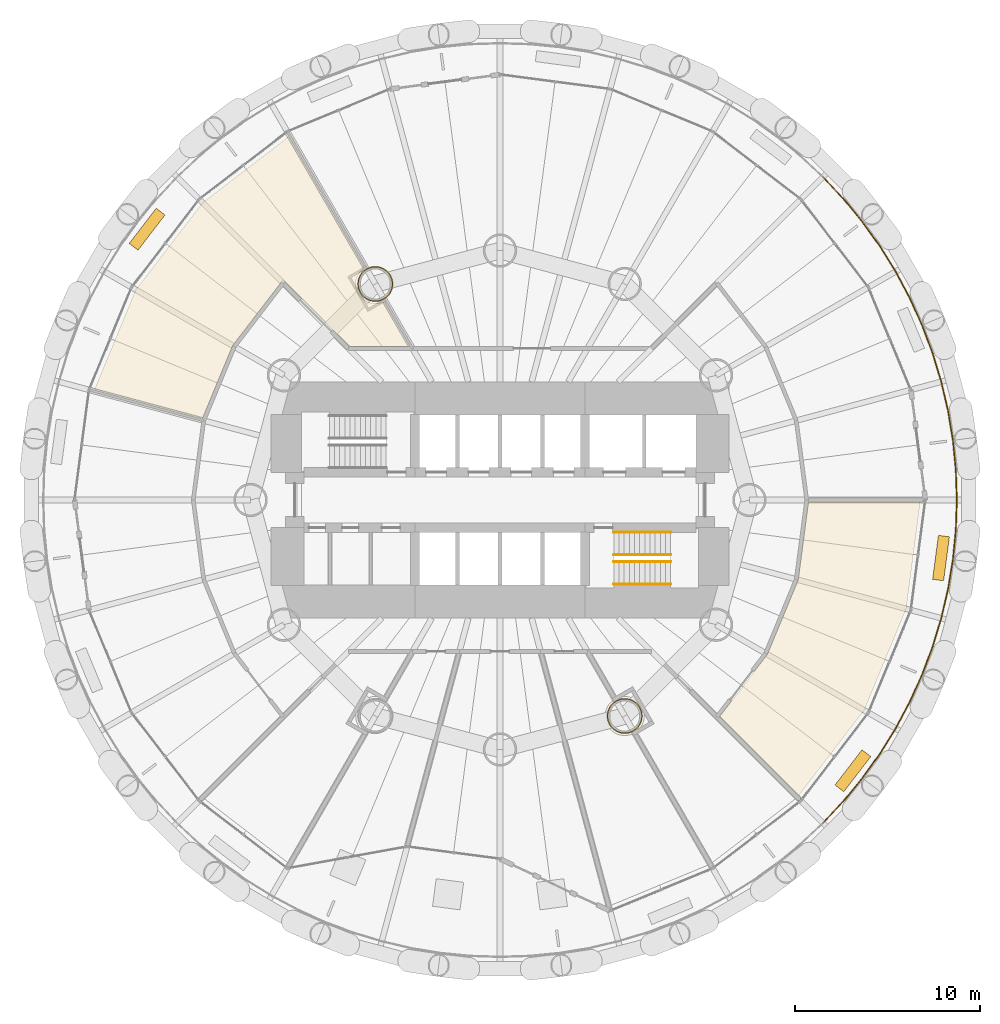
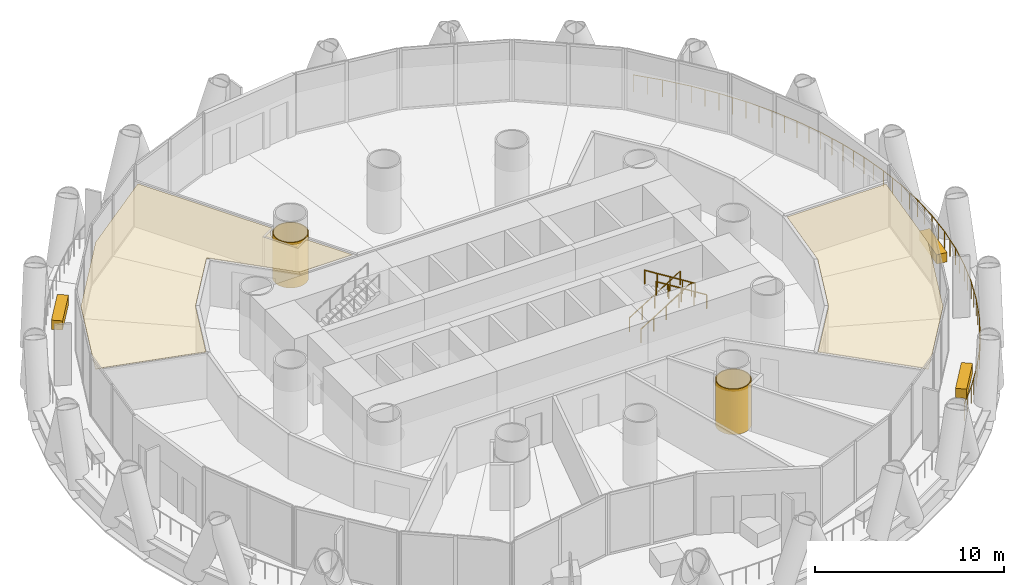
# One storey, part 14 of 15: 7 coverings, 5 railings.
"""IFC4 building model written with IfcOpenShell, lengths in metres."""

from ifc_helpers import new_model, si_unit, direction, frame, origin, origin_2d, place, context, subcontext, project, spatial, polyline, rectangle, circle, outline, extrude, material, layer, layer_set, type_object, element, save


model = new_model("IFC4")

# Units and contexts
model_context = context("Model", 3, precision=1e-05, world=origin(), true_north=direction((0.0, 1.0)))
body_context = subcontext(model_context, "Body", "Model", "MODEL_VIEW")
ifc_project = project(units=[si_unit("LENGTHUNIT", "METRE"), si_unit("AREAUNIT", "SQUARE_METRE"), si_unit("VOLUMEUNIT", "CUBIC_METRE"), si_unit("PLANEANGLEUNIT", "RADIAN"), si_unit("MASSUNIT", "GRAM", prefix="KILO")], contexts=[model_context])

# Site, building, storey
site_placement = place(None, origin())
site = spatial("IfcSite", under=ifc_project, at=site_placement, CompositionType="ELEMENT")
building_placement = place(site_placement, origin())
building = spatial("IfcBuilding", under=site, at=building_placement, Name="Qaws Media Tower", CompositionType="ELEMENT")
storey_placement = place(building_placement, frame((0.0, 0.0, 97.39990234375)))
storey = spatial("IfcBuildingStorey", under=building, at=storey_placement, Name="L21", CompositionType="ELEMENT", Elevation=97.39990234375)

# Covering
ifc_material_1 = material(Name="40 perforated acoustic panels with mineral wool backing, suspended", Category="mineral fibre")
ifc_layer_1 = layer(ifc_material_1, 0.0400390625)
ifc_layer_set_1 = layer_set([ifc_layer_1], Name="Acoustic panel ceiling 40")
covering_type_1 = type_object("IfcCoveringType", Name="Acoustic panel ceiling 40", PredefinedType="CEILING", material=ifc_layer_set_1)
covering_1_placement = place(storey_placement, frame((0.0, 0.0, 2.85009765625)))
element("IfcCovering", 1, at=covering_1_placement, inside=storey, type_object=covering_type_1, Name="CL3 ceiling L21-03 Training room", PredefinedType="CEILING", context=body_context, shape_type="SweptSolid", body=[
    extrude(outline(polyline([(40.2890625, 61.380126953125), (43.906005859375, 66.093994140625), (48.52978515625, 69.641845703125), (52.626220703125, 62.546630859375), (52.604736328125, 62.5322265625), (52.50048828125, 62.44091796875), (52.408935546875, 62.336669921875), (52.33203125, 62.22119140625), (52.270751953125, 62.096923828125), (52.22607421875, 61.9658203125), (52.19921875, 61.82958984375), (52.18994140625, 61.69140625), (52.19921875, 61.552978515625), (52.22607421875, 61.4169921875), (52.270751953125, 61.28564453125), (52.33203125, 61.161376953125), (52.408935546875, 61.046142578125), (52.50048828125, 60.94189453125), (52.604736328125, 60.850341796875), (52.719970703125, 60.7734375), (52.844482421875, 60.7119140625), (52.9755859375, 60.66748046875), (53.111572265625, 60.640380859375), (53.25, 60.63134765625), (53.388427734375, 60.640380859375), (53.5244140625, 60.66748046875), (53.655517578125, 60.7119140625), (53.678955078125, 60.723388671875), (55.07080078125, 58.3125), (51.8466796875, 58.3125), (48.2509765625, 61.908203125), (45.525634765625, 58.356689453125), (43.8994140625, 54.4306640625), (38.05859375, 55.99560546875), (40.2890625, 61.380126953125)])), origin(), (0.0, 0.0, 1.0), 0.0400390625),
])

# Railing
ifc_material_2 = material(Name="Stainless steel and glass guard", Category="steel")
railing_type_1 = type_object("IfcRailingType", Name="Balcony guard 1100", PredefinedType="GUARDRAIL", material=ifc_material_2)
railing_placement = place(storey_placement, frame((77.483154296875, 32.516845703125, 0.0)))
element("IfcRailing", 2, at=railing_placement, inside=storey, type_object=railing_type_1, Name="GR1 balcony guard L21-4", PredefinedType="GUARDRAIL", context=body_context, shape_type="SweptSolid", body=[
    extrude(circle(Radius=0.02392578125, at=origin_2d()), frame((0.0, 0.0, 1.076171875), z_axis=(0.683644955453, 0.729814753813, 0.0), x_axis=(-0.729814753813, 0.683644955453, 0.0)), (0.0, 0.0, 1.0), 1.6181640625),
    extrude(circle(Radius=0.02392578125, at=origin_2d()), frame((1.106201171875, 1.180908203125, 1.076171875), z_axis=(0.634362857361, 0.773035422992, 0.0), x_axis=(-0.773035422992, 0.634362857361, 0.0)), (0.0, 0.0, 1.0), 1.617919921875),
    extrude(circle(Radius=0.02392578125, at=origin_2d()), frame((2.132568359375, 2.431640625, 1.076171875), z_axis=(0.582522264877, 0.812814745759, 0.0), x_axis=(-0.812814745759, 0.582522264877, 0.0)), (0.0, 0.0, 1.0), 1.61767578125),
    extrude(circle(Radius=0.02392578125, at=origin_2d()), frame((3.074951171875, 3.74658203125, 1.076171875), z_axis=(0.528098829061, 0.84918291713, 0.0), x_axis=(-0.84918291713, 0.528098829061, 0.0)), (0.0, 0.0, 1.0), 1.6181640625),
    extrude(circle(Radius=0.02392578125, at=origin_2d()), frame((3.929443359375, 5.12060546875, 1.076171875), z_axis=(0.471371200806, 0.88193491316, 0.0), x_axis=(-0.88193491316, 0.471371200806, 0.0)), (0.0, 0.0, 1.0), 1.617919921875),
    extrude(circle(Radius=0.02392578125, at=origin_2d()), frame((4.692138671875, 6.547607421875, 1.076171875), z_axis=(0.412722552214, 0.91085679165, 0.0), x_axis=(-0.91085679165, 0.412722552214, 0.0)), (0.0, 0.0, 1.0), 1.617919921875),
    extrude(circle(Radius=0.02392578125, at=origin_2d()), frame((5.35986328125, 8.021240234375, 1.076171875), z_axis=(0.352164948958, 0.935937951322, 0.0), x_axis=(-0.935937951322, 0.352164948958, 0.0)), (0.0, 0.0, 1.0), 1.6181640625),
    extrude(circle(Radius=0.02392578125, at=origin_2d()), frame((5.9296875, 9.53564453125, 1.076171875), z_axis=(0.290350826937, 0.956920266949, 0.0), x_axis=(-0.956920266949, 0.290350826937, 0.0)), (0.0, 0.0, 1.0), 1.61767578125),
    extrude(circle(Radius=0.02392578125, at=origin_2d()), frame((6.3994140625, 11.083740234375, 1.076171875), z_axis=(0.227062683053, 0.973880145585, 0.0), x_axis=(-0.973880145585, 0.227062683053, 0.0)), (0.0, 0.0, 1.0), 1.6181640625),
    extrude(circle(Radius=0.02392578125, at=origin_2d()), frame((6.766845703125, 12.65966796875, 1.076171875), z_axis=(0.162832572423, 0.986653715018, 0.0), x_axis=(-0.986653715018, 0.162832572423, 0.0)), (0.0, 0.0, 1.0), 1.61767578125),
    extrude(circle(Radius=0.02392578125, at=origin_2d()), frame((7.0302734375, 14.255859375, 1.076171875), z_axis=(0.098084271892, 0.995178112504, 0.0), x_axis=(-0.995178112504, 0.098084271892, 0.0)), (0.0, 0.0, 1.0), 1.617919921875),
    extrude(circle(Radius=0.02392578125, at=origin_2d()), frame((7.18896484375, 15.865966796875, 1.076171875), z_axis=(0.032742097212, 0.999463833798, 0.0), x_axis=(-0.999463833798, 0.032742097212, 0.0)), (0.0, 0.0, 1.0), 1.6181640625),
    extrude(circle(Radius=0.02392578125, at=origin_2d()), frame((7.241943359375, 17.483154296875, 1.076171875), z_axis=(-0.032742097212, 0.999463833798, 0.0), x_axis=(-0.999463833798, -0.032742097212, 0.0)), (0.0, 0.0, 1.0), 1.6181640625),
    extrude(circle(Radius=0.02392578125, at=origin_2d()), frame((7.18896484375, 19.100341796875, 1.076171875), z_axis=(-0.098084271892, 0.995178112504, 0.0), x_axis=(-0.995178112504, -0.098084271892, 0.0)), (0.0, 0.0, 1.0), 1.617919921875),
    extrude(circle(Radius=0.02392578125, at=origin_2d()), frame((7.0302734375, 20.71044921875, 1.076171875), z_axis=(-0.162832572423, 0.986653715018, 0.0), x_axis=(-0.986653715018, -0.162832572423, 0.0)), (0.0, 0.0, 1.0), 1.61767578125),
    extrude(circle(Radius=0.02392578125, at=origin_2d()), frame((6.766845703125, 22.306640625, 1.076171875), z_axis=(-0.227062683053, 0.973880145585, 0.0), x_axis=(-0.973880145585, -0.227062683053, 0.0)), (0.0, 0.0, 1.0), 1.6181640625),
    extrude(circle(Radius=0.02392578125, at=origin_2d()), frame((6.3994140625, 23.882568359375, 1.076171875), z_axis=(-0.290350826937, 0.956920266949, 0.0), x_axis=(-0.956920266949, -0.290350826937, 0.0)), (0.0, 0.0, 1.0), 1.61767578125),
    extrude(circle(Radius=0.02392578125, at=origin_2d()), frame((5.9296875, 25.4306640625, 1.076171875), z_axis=(-0.352164948958, 0.935937951322, 0.0), x_axis=(-0.935937951322, -0.352164948958, 0.0)), (0.0, 0.0, 1.0), 1.6181640625),
    extrude(circle(Radius=0.02392578125, at=origin_2d()), frame((5.35986328125, 26.945068359375, 1.076171875), z_axis=(-0.412722552214, 0.91085679165, 0.0), x_axis=(-0.91085679165, -0.412722552214, 0.0)), (0.0, 0.0, 1.0), 1.617919921875),
    extrude(circle(Radius=0.02392578125, at=origin_2d()), frame((4.692138671875, 28.418701171875, 1.076171875), z_axis=(-0.471371200806, 0.88193491316, 0.0), x_axis=(-0.88193491316, -0.471371200806, 0.0)), (0.0, 0.0, 1.0), 1.617919921875),
    extrude(circle(Radius=0.02392578125, at=origin_2d()), frame((3.929443359375, 29.845703125, 1.076171875), z_axis=(-0.528098829061, 0.84918291713, 0.0), x_axis=(-0.84918291713, -0.528098829061, 0.0)), (0.0, 0.0, 1.0), 1.6181640625),
    extrude(circle(Radius=0.02392578125, at=origin_2d()), frame((3.074951171875, 31.2197265625, 1.076171875), z_axis=(-0.582522264877, 0.812814745759, 0.0), x_axis=(-0.812814745759, -0.582522264877, 0.0)), (0.0, 0.0, 1.0), 1.61767578125),
    extrude(circle(Radius=0.02392578125, at=origin_2d()), frame((2.132568359375, 32.53466796875, 1.076171875), z_axis=(-0.634362857361, 0.773035422992, 0.0), x_axis=(-0.773035422992, -0.634362857361, 0.0)), (0.0, 0.0, 1.0), 1.617919921875),
    extrude(circle(Radius=0.02392578125, at=origin_2d()), frame((1.106201171875, 33.785400390625, 1.076171875), z_axis=(-0.683644955453, 0.729814753813, 0.0), x_axis=(-0.729814753813, -0.683644955453, 0.0)), (0.0, 0.0, 1.0), 1.6181640625),
    extrude(circle(Radius=0.02099609375, at=origin_2d()), origin(), (0.0, 0.0, 1.0), 1.052001953125),
    extrude(circle(Radius=0.02099609375, at=origin_2d()), frame((0.55322265625, 0.59033203125, 0.0)), (0.0, 0.0, 1.0), 1.052001953125),
    extrude(circle(Radius=0.02099609375, at=origin_2d()), frame((1.106201171875, 1.180908203125, 0.0)), (0.0, 0.0, 1.0), 1.052001953125),
    extrude(circle(Radius=0.02099609375, at=origin_2d()), frame((1.619384765625, 1.80615234375, 0.0)), (0.0, 0.0, 1.0), 1.052001953125),
    extrude(circle(Radius=0.02099609375, at=origin_2d()), frame((2.132568359375, 2.431640625, 0.0)), (0.0, 0.0, 1.0), 1.052001953125),
    extrude(circle(Radius=0.02099609375, at=origin_2d()), frame((2.603759765625, 3.089111328125, 0.0)), (0.0, 0.0, 1.0), 1.052001953125),
    extrude(circle(Radius=0.02099609375, at=origin_2d()), frame((3.074951171875, 3.74658203125, 0.0)), (0.0, 0.0, 1.0), 1.052001953125),
    extrude(circle(Radius=0.02099609375, at=origin_2d()), frame((3.502197265625, 4.43359375, 0.0)), (0.0, 0.0, 1.0), 1.052001953125),
    extrude(circle(Radius=0.02099609375, at=origin_2d()), frame((3.929443359375, 5.12060546875, 0.0)), (0.0, 0.0, 1.0), 1.052001953125),
    extrude(circle(Radius=0.02099609375, at=origin_2d()), frame((4.310791015625, 5.833984375, 0.0)), (0.0, 0.0, 1.0), 1.052001953125),
    extrude(circle(Radius=0.02099609375, at=origin_2d()), frame((4.692138671875, 6.547607421875, 0.0)), (0.0, 0.0, 1.0), 1.052001953125),
    extrude(circle(Radius=0.02099609375, at=origin_2d()), frame((5.02587890625, 7.284423828125, 0.0)), (0.0, 0.0, 1.0), 1.052001953125),
    extrude(circle(Radius=0.02099609375, at=origin_2d()), frame((5.35986328125, 8.021240234375, 0.0)), (0.0, 0.0, 1.0), 1.052001953125),
    extrude(circle(Radius=0.02099609375, at=origin_2d()), frame((5.644775390625, 8.7783203125, 0.0)), (0.0, 0.0, 1.0), 1.052001953125),
    extrude(circle(Radius=0.02099609375, at=origin_2d()), frame((5.9296875, 9.53564453125, 0.0)), (0.0, 0.0, 1.0), 1.052001953125),
    extrude(circle(Radius=0.02099609375, at=origin_2d()), frame((6.16455078125, 10.3095703125, 0.0)), (0.0, 0.0, 1.0), 1.052001953125),
    extrude(circle(Radius=0.02099609375, at=origin_2d()), frame((6.3994140625, 11.083740234375, 0.0)), (0.0, 0.0, 1.0), 1.052001953125),
    extrude(circle(Radius=0.02099609375, at=origin_2d()), frame((6.5830078125, 11.87158203125, 0.0)), (0.0, 0.0, 1.0), 1.052001953125),
    extrude(circle(Radius=0.02099609375, at=origin_2d()), frame((6.766845703125, 12.65966796875, 0.0)), (0.0, 0.0, 1.0), 1.052001953125),
    extrude(circle(Radius=0.02099609375, at=origin_2d()), frame((6.8984375, 13.457763671875, 0.0)), (0.0, 0.0, 1.0), 1.052001953125),
    extrude(circle(Radius=0.02099609375, at=origin_2d()), frame((7.0302734375, 14.255859375, 0.0)), (0.0, 0.0, 1.0), 1.052001953125),
    extrude(circle(Radius=0.02099609375, at=origin_2d()), frame((7.109619140625, 15.06103515625, 0.0)), (0.0, 0.0, 1.0), 1.052001953125),
    extrude(circle(Radius=0.02099609375, at=origin_2d()), frame((7.18896484375, 15.865966796875, 0.0)), (0.0, 0.0, 1.0), 1.052001953125),
    extrude(circle(Radius=0.02099609375, at=origin_2d()), frame((7.21533203125, 16.674560546875, 0.0)), (0.0, 0.0, 1.0), 1.052001953125),
    extrude(circle(Radius=0.02099609375, at=origin_2d()), frame((7.241943359375, 17.483154296875, 0.0)), (0.0, 0.0, 1.0), 1.052001953125),
    extrude(circle(Radius=0.02099609375, at=origin_2d()), frame((7.21533203125, 18.291748046875, 0.0)), (0.0, 0.0, 1.0), 1.052001953125),
    extrude(circle(Radius=0.02099609375, at=origin_2d()), frame((7.18896484375, 19.100341796875, 0.0)), (0.0, 0.0, 1.0), 1.052001953125),
    extrude(circle(Radius=0.02099609375, at=origin_2d()), frame((7.109619140625, 19.9052734375, 0.0)), (0.0, 0.0, 1.0), 1.052001953125),
    extrude(circle(Radius=0.02099609375, at=origin_2d()), frame((7.0302734375, 20.71044921875, 0.0)), (0.0, 0.0, 1.0), 1.052001953125),
    extrude(circle(Radius=0.02099609375, at=origin_2d()), frame((6.8984375, 21.508544921875, 0.0)), (0.0, 0.0, 1.0), 1.052001953125),
    extrude(circle(Radius=0.02099609375, at=origin_2d()), frame((6.766845703125, 22.306640625, 0.0)), (0.0, 0.0, 1.0), 1.052001953125),
    extrude(circle(Radius=0.02099609375, at=origin_2d()), frame((6.5830078125, 23.0947265625, 0.0)), (0.0, 0.0, 1.0), 1.052001953125),
    extrude(circle(Radius=0.02099609375, at=origin_2d()), frame((6.3994140625, 23.882568359375, 0.0)), (0.0, 0.0, 1.0), 1.052001953125),
    extrude(circle(Radius=0.02099609375, at=origin_2d()), frame((6.16455078125, 24.65673828125, 0.0)), (0.0, 0.0, 1.0), 1.052001953125),
    extrude(circle(Radius=0.02099609375, at=origin_2d()), frame((5.9296875, 25.4306640625, 0.0)), (0.0, 0.0, 1.0), 1.052001953125),
    extrude(circle(Radius=0.02099609375, at=origin_2d()), frame((5.644775390625, 26.18798828125, 0.0)), (0.0, 0.0, 1.0), 1.052001953125),
    extrude(circle(Radius=0.02099609375, at=origin_2d()), frame((5.35986328125, 26.945068359375, 0.0)), (0.0, 0.0, 1.0), 1.052001953125),
    extrude(circle(Radius=0.02099609375, at=origin_2d()), frame((5.02587890625, 27.681884765625, 0.0)), (0.0, 0.0, 1.0), 1.052001953125),
    extrude(circle(Radius=0.02099609375, at=origin_2d()), frame((4.692138671875, 28.418701171875, 0.0)), (0.0, 0.0, 1.0), 1.052001953125),
    extrude(circle(Radius=0.02099609375, at=origin_2d()), frame((4.310791015625, 29.13232421875, 0.0)), (0.0, 0.0, 1.0), 1.052001953125),
    extrude(circle(Radius=0.02099609375, at=origin_2d()), frame((3.929443359375, 29.845703125, 0.0)), (0.0, 0.0, 1.0), 1.052001953125),
    extrude(circle(Radius=0.02099609375, at=origin_2d()), frame((3.502197265625, 30.53271484375, 0.0)), (0.0, 0.0, 1.0), 1.052001953125),
    extrude(circle(Radius=0.02099609375, at=origin_2d()), frame((3.074951171875, 31.2197265625, 0.0)), (0.0, 0.0, 1.0), 1.052001953125),
    extrude(circle(Radius=0.02099609375, at=origin_2d()), frame((2.603759765625, 31.877197265625, 0.0)), (0.0, 0.0, 1.0), 1.052001953125),
    extrude(circle(Radius=0.02099609375, at=origin_2d()), frame((2.132568359375, 32.53466796875, 0.0)), (0.0, 0.0, 1.0), 1.052001953125),
    extrude(circle(Radius=0.02099609375, at=origin_2d()), frame((1.619384765625, 33.16015625, 0.0)), (0.0, 0.0, 1.0), 1.052001953125),
    extrude(circle(Radius=0.02099609375, at=origin_2d()), frame((1.106201171875, 33.785400390625, 0.0)), (0.0, 0.0, 1.0), 1.052001953125),
    extrude(circle(Radius=0.02099609375, at=origin_2d()), frame((0.55322265625, 34.3759765625, 0.0)), (0.0, 0.0, 1.0), 1.052001953125),
    extrude(circle(Radius=0.02099609375, at=origin_2d()), frame((0.0, 34.96630859375, 0.0)), (0.0, 0.0, 1.0), 1.052001953125),
])

# Coverings
ifc_material_3 = material(Name="Two layers 15 fire-rated gypsum board on steel framing", Category="steel")
ifc_layer_2 = layer(ifc_material_3, 0.050048828125)
ifc_layer_set_2 = layer_set([ifc_layer_2], Name="Column fire casing")
covering_type_2 = type_object("IfcCoveringType", Name="Column fire casing", PredefinedType="CLADDING", material=ifc_layer_set_2)
covering_2_placement = place(storey_placement, origin())
element("IfcCovering", 3, at=covering_2_placement, inside=storey, type_object=covering_type_2, Name="CC1 column casing L21", PredefinedType="CLADDING", context=body_context, shape_type="SweptSolid", body=[
    extrude(outline(polyline([(54.205078125, 61.69140625), (54.19677734375, 61.566650390625), (54.172607421875, 61.444091796875), (54.13232421875, 61.325927734375), (54.0771484375, 61.2138671875), (54.0078125, 61.110107421875), (53.92529296875, 61.01611328125), (53.831298828125, 60.93359375), (53.7275390625, 60.8642578125), (53.615478515625, 60.80908203125), (53.497314453125, 60.768798828125), (53.374755859375, 60.744384765625), (53.25, 60.736328125), (53.125244140625, 60.744384765625), (53.002685546875, 60.768798828125), (52.884521484375, 60.80908203125), (52.7724609375, 60.8642578125), (52.668701171875, 60.93359375), (52.57470703125, 61.01611328125), (52.4921875, 61.110107421875), (52.4228515625, 61.2138671875), (52.36767578125, 61.325927734375), (52.327392578125, 61.444091796875), (52.30322265625, 61.566650390625), (52.294921875, 61.69140625), (52.30322265625, 61.81591796875), (52.327392578125, 61.9384765625), (52.36767578125, 62.056884765625), (52.4228515625, 62.168701171875), (52.4921875, 62.272705078125), (52.57470703125, 62.36669921875), (52.668701171875, 62.448974609375), (52.7724609375, 62.518310546875), (52.884521484375, 62.573486328125), (53.002685546875, 62.61376953125), (53.125244140625, 62.63818359375), (53.25, 62.646240234375), (53.374755859375, 62.63818359375), (53.497314453125, 62.61376953125), (53.615478515625, 62.573486328125), (53.7275390625, 62.518310546875), (53.831298828125, 62.448974609375), (53.92529296875, 62.36669921875), (54.0078125, 62.272705078125), (54.0771484375, 62.168701171875), (54.13232421875, 62.056884765625), (54.172607421875, 61.9384765625), (54.19677734375, 61.81591796875), (54.205078125, 61.69140625)]), holes=[polyline([(54.153076171875, 61.69140625), (54.145263671875, 61.573486328125), (54.122314453125, 61.45751953125), (54.084228515625, 61.345703125), (54.031982421875, 61.23974609375), (53.96630859375, 61.1416015625), (53.888427734375, 61.052734375), (53.7998046875, 60.974853515625), (53.701416015625, 60.9091796875), (53.595703125, 60.857177734375), (53.483642578125, 60.819091796875), (53.367919921875, 60.796142578125), (53.25, 60.788330078125), (53.132080078125, 60.796142578125), (53.016357421875, 60.819091796875), (52.904296875, 60.857177734375), (52.798583984375, 60.9091796875), (52.7001953125, 60.974853515625), (52.611572265625, 61.052734375), (52.53369140625, 61.1416015625), (52.468017578125, 61.23974609375), (52.415771484375, 61.345703125), (52.377685546875, 61.45751953125), (52.354736328125, 61.573486328125), (52.346923828125, 61.69140625), (52.354736328125, 61.80908203125), (52.377685546875, 61.925048828125), (52.415771484375, 62.036865234375), (52.468017578125, 62.142822265625), (52.53369140625, 62.2412109375), (52.611572265625, 62.329833984375), (52.7001953125, 62.40771484375), (52.798583984375, 62.473388671875), (52.904296875, 62.525634765625), (53.016357421875, 62.563720703125), (53.132080078125, 62.586669921875), (53.25, 62.59423828125), (53.367919921875, 62.586669921875), (53.483642578125, 62.563720703125), (53.595703125, 62.525634765625), (53.701416015625, 62.473388671875), (53.7998046875, 62.40771484375), (53.888427734375, 62.329833984375), (53.96630859375, 62.2412109375), (54.031982421875, 62.142822265625), (54.084228515625, 62.036865234375), (54.122314453125, 61.925048828125), (54.145263671875, 61.80908203125), (54.153076171875, 61.69140625)])]), origin(), (0.0, 0.0, 1.0), 2.93017578125),
])
covering_3_placement = place(storey_placement, origin())
element("IfcCovering", 4, at=covering_3_placement, inside=storey, type_object=covering_type_2, Name="CC1 column casing L21", PredefinedType="CLADDING", context=body_context, shape_type="SweptSolid", body=[
    extrude(outline(polyline([(67.705078125, 38.30859375), (67.69677734375, 38.18408203125), (67.672607421875, 38.0615234375), (67.63232421875, 37.943115234375), (67.5771484375, 37.831298828125), (67.5078125, 37.727294921875), (67.42529296875, 37.63330078125), (67.331298828125, 37.551025390625), (67.2275390625, 37.481689453125), (67.115478515625, 37.426513671875), (66.997314453125, 37.38623046875), (66.874755859375, 37.36181640625), (66.75, 37.353759765625), (66.625244140625, 37.36181640625), (66.502685546875, 37.38623046875), (66.384521484375, 37.426513671875), (66.2724609375, 37.481689453125), (66.168701171875, 37.551025390625), (66.07470703125, 37.63330078125), (65.9921875, 37.727294921875), (65.9228515625, 37.831298828125), (65.86767578125, 37.943115234375), (65.827392578125, 38.0615234375), (65.80322265625, 38.18408203125), (65.794921875, 38.30859375), (65.80322265625, 38.433349609375), (65.827392578125, 38.555908203125), (65.86767578125, 38.674072265625), (65.9228515625, 38.7861328125), (65.9921875, 38.889892578125), (66.07470703125, 38.98388671875), (66.168701171875, 39.06640625), (66.2724609375, 39.1357421875), (66.384521484375, 39.19091796875), (66.502685546875, 39.231201171875), (66.625244140625, 39.255615234375), (66.75, 39.263671875), (66.874755859375, 39.255615234375), (66.997314453125, 39.231201171875), (67.115478515625, 39.19091796875), (67.2275390625, 39.1357421875), (67.331298828125, 39.06640625), (67.42529296875, 38.98388671875), (67.5078125, 38.889892578125), (67.5771484375, 38.7861328125), (67.63232421875, 38.674072265625), (67.672607421875, 38.555908203125), (67.69677734375, 38.433349609375), (67.705078125, 38.30859375)]), holes=[polyline([(67.653076171875, 38.30859375), (67.645263671875, 38.19091796875), (67.622314453125, 38.074951171875), (67.584228515625, 37.963134765625), (67.531982421875, 37.857177734375), (67.46630859375, 37.7587890625), (67.388427734375, 37.670166015625), (67.2998046875, 37.59228515625), (67.201416015625, 37.526611328125), (67.095703125, 37.474365234375), (66.983642578125, 37.436279296875), (66.867919921875, 37.413330078125), (66.75, 37.40576171875), (66.632080078125, 37.413330078125), (66.516357421875, 37.436279296875), (66.404296875, 37.474365234375), (66.298583984375, 37.526611328125), (66.2001953125, 37.59228515625), (66.111572265625, 37.670166015625), (66.03369140625, 37.7587890625), (65.968017578125, 37.857177734375), (65.915771484375, 37.963134765625), (65.877685546875, 38.074951171875), (65.854736328125, 38.19091796875), (65.846923828125, 38.30859375), (65.854736328125, 38.426513671875), (65.877685546875, 38.54248046875), (65.915771484375, 38.654296875), (65.968017578125, 38.76025390625), (66.03369140625, 38.8583984375), (66.111572265625, 38.947265625), (66.2001953125, 39.025146484375), (66.298583984375, 39.0908203125), (66.404296875, 39.142822265625), (66.516357421875, 39.180908203125), (66.632080078125, 39.203857421875), (66.75, 39.211669921875), (66.867919921875, 39.203857421875), (66.983642578125, 39.180908203125), (67.095703125, 39.142822265625), (67.201416015625, 39.0908203125), (67.2998046875, 39.025146484375), (67.388427734375, 38.947265625), (67.46630859375, 38.8583984375), (67.531982421875, 38.76025390625), (67.584228515625, 38.654296875), (67.622314453125, 38.54248046875), (67.645263671875, 38.426513671875), (67.653076171875, 38.30859375)])]), origin(), (0.0, 0.0, 1.0), 2.93017578125),
])
ifc_material_4 = material(Name="600 x 600 mineral fibre tiles in exposed grid, suspended", Category="mineral fibre")
ifc_layer_3 = layer(ifc_material_4, 0.02001953125)
ifc_layer_set_3 = layer_set([ifc_layer_3], Name="Mineral fibre tile ceiling 20")
covering_type_3 = type_object("IfcCoveringType", Name="Mineral fibre tile ceiling 20", PredefinedType="CEILING", material=ifc_layer_set_3)
covering_4_placement = place(storey_placement, frame((0.0, 0.0, 2.85009765625)))
element("IfcCovering", 5, at=covering_4_placement, inside=storey, type_object=covering_type_3, Name="CL1 ceiling L21-10 Broadcast engineering office", PredefinedType="CEILING", context=body_context, shape_type="SweptSolid", body=[
    extrude(outline(polyline([(81.984619140625, 44.109130859375), (79.7109375, 38.619873046875), (76.1630859375, 33.99609375), (71.88720703125, 38.271728515625), (74.474365234375, 41.643310546875), (76.14404296875, 45.67431640625), (76.69873046875, 49.887451171875), (82.745361328125, 49.887451171875), (81.984619140625, 44.109130859375)])), origin(), (0.0, 0.0, 1.0), 0.02001953125),
])
ifc_material_5 = material(Name="Precast concrete planter with trailing planting", Category="concrete")
ifc_layer_4 = layer(ifc_material_5, 0.60009765625)
ifc_layer_set_4 = layer_set([ifc_layer_4], Name="Planter 2400x600")
covering_type_4 = type_object("IfcCoveringType", Name="Planter 2400x600", PredefinedType="USERDEFINED", material=ifc_layer_set_4)
for number, where, z_axis, x_axis, name in (
    (6, (40.89990234375, 64.656005859375, 0.0), (0.0, 0.0, 1.0), (-0.608761429009, -0.793353340291, 0.0), "PL1 balcony planter L21-05"),
    (7, (79.10009765625, 35.343994140625, 0.0), (0.0, 0.0, 1.0), (0.608761429009, 0.793353340291, 0.0), "PL1 balcony planter L21-11"),
    (8, (83.869140625, 46.857666015625, 0.0), (0.0, 0.0, 1.0), (0.13052619222, 0.991444861374, 0.0), "PL1 balcony planter L21-12"),
):
    element("IfcCovering", number, at=place(storey_placement, frame(where, z_axis=z_axis, x_axis=x_axis)), inside=storey, type_object=covering_type_4, Name=name, ObjectType="PLANTER", PredefinedType="USERDEFINED", context=body_context, shape_type="SweptSolid", body=[
        extrude(rectangle(XDim=2.39990234375, YDim=0.60009765625, at=origin_2d()), origin(), (0.0, 0.0, 1.0), 0.60009765625),
    ])

# Railings
ifc_material_6 = material(Name="Steel tube handrail", Category="steel")
railing_type_2 = type_object("IfcRailingType", Name="Stair handrail 900", PredefinedType="HANDRAIL", material=ifc_material_6)
for number, where, name in (
    (9, (66.159912109375, 48.25, 0.175048828125), "HR1 handrail S2 flight 1 L21"),
    (10, (66.159912109375, 47.0400390625, 0.175048828125), "HR1 handrail S2 flight 1 L21"),
):
    element("IfcRailing", number, at=place(storey_placement, frame(where)), inside=storey, type_object=railing_type_2, Name=name, PredefinedType="HANDRAIL", context=body_context, shape_type="SweptSolid", body=[
        extrude(circle(Radius=0.02392578125, at=origin_2d()), frame((0.0, 0.0, 0.8759765625), z_axis=(0.847998304005, 0.0, 0.529998940003), x_axis=(0.0, 1.0, 0.0)), (0.0, 0.0, 1.0), 3.632080078125),
        extrude(circle(Radius=0.02099609375, at=origin_2d()), origin(), (0.0, 0.0, 1.0), 0.851806640625),
        extrude(circle(Radius=0.02099609375, at=origin_2d()), frame((0.77001953125, 0.0, 0.481201171875)), (0.0, 0.0, 1.0), 0.851806640625),
        extrude(circle(Radius=0.02099609375, at=origin_2d()), frame((1.5400390625, 0.0, 0.96240234375)), (0.0, 0.0, 1.0), 0.851806640625),
        extrude(circle(Radius=0.02099609375, at=origin_2d()), frame((2.31005859375, 0.0, 1.44384765625)), (0.0, 0.0, 1.0), 0.851806640625),
        extrude(circle(Radius=0.02099609375, at=origin_2d()), frame((3.080078125, 0.0, 1.925048828125)), (0.0, 0.0, 1.0), 0.851806640625),
    ])
for number, where, name in (
    (11, (69.239990234375, 45.449951171875, 2.275146484375), "HR1 handrail S2 flight 2 L21"),
    (12, (69.239990234375, 46.659912109375, 2.275146484375), "HR1 handrail S2 flight 2 L21"),
):
    element("IfcRailing", number, at=place(storey_placement, frame(where)), inside=storey, type_object=railing_type_2, Name=name, PredefinedType="HANDRAIL", context=body_context, shape_type="SweptSolid", body=[
        extrude(circle(Radius=0.02392578125, at=origin_2d()), frame((0.0, 0.0, 0.8759765625), z_axis=(-0.847998304005, 0.0, 0.529998940003), x_axis=(0.0, -1.0, 0.0)), (0.0, 0.0, 1.0), 3.632080078125),
        extrude(circle(Radius=0.02099609375, at=origin_2d()), origin(), (0.0, 0.0, 1.0), 0.851806640625),
        extrude(circle(Radius=0.02099609375, at=origin_2d()), frame((-0.77001953125, 0.0, 0.481201171875)), (0.0, 0.0, 1.0), 0.851806640625),
        extrude(circle(Radius=0.02099609375, at=origin_2d()), frame((-1.5400390625, 0.0, 0.96240234375)), (0.0, 0.0, 1.0), 0.851806640625),
        extrude(circle(Radius=0.02099609375, at=origin_2d()), frame((-2.31005859375, 0.0, 1.44384765625)), (0.0, 0.0, 1.0), 0.851806640625),
        extrude(circle(Radius=0.02099609375, at=origin_2d()), frame((-3.080078125, 0.0, 1.925048828125)), (0.0, 0.0, 1.0), 0.851806640625),
    ])

save(model, "model.ifc")
